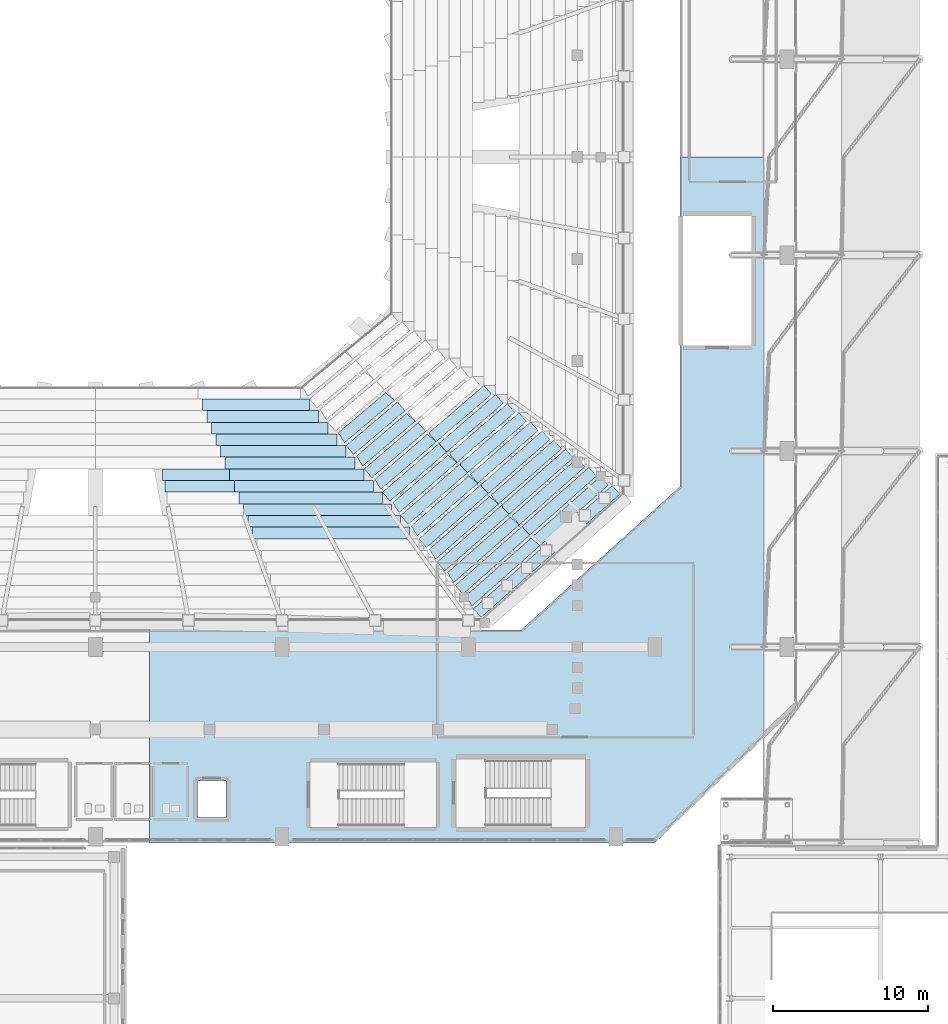
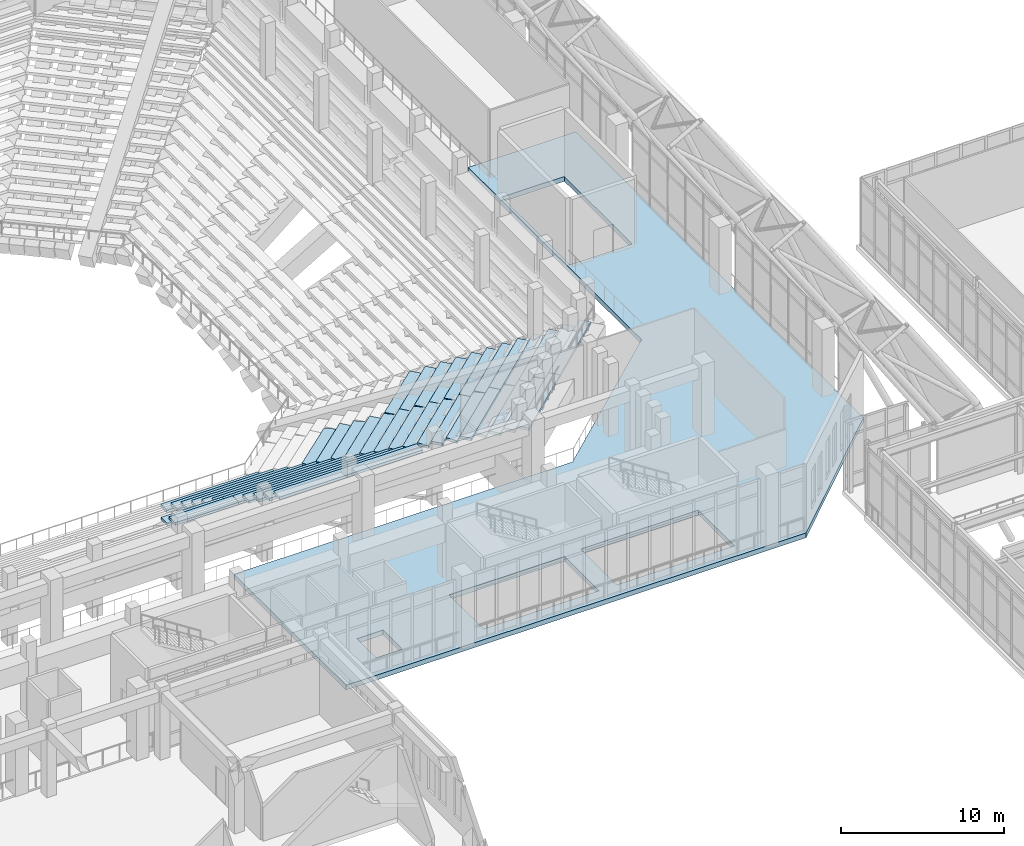
# One storey, part 95 of 159: 43 slabs.
"""IFC4 building model written with IfcOpenShell, lengths in metres."""

import ifcopenshell
import ifcopenshell.guid

model = None  # the IFC model being written
_history = None  # IfcOwnerHistory: only IFC2X3 demands one
_inside = {}  # id of a spatial element -> (the spatial element, [elements in it])
_under = {}  # id of a project, library or spatial element -> (it, [spatial elements below it])
_declared = {}  # id of a project -> (the project, [libraries it declares])
_typed = {}  # id of a type object -> (the type object, [elements of that type])
_made_of = {}  # id of a material, layer set ... -> (it, [elements and type objects made of it])


def new_model(schema):
    """Start an empty IFC model of exactly this schema.

    Asked for "IFC4X3", IfcOpenShell would pick the latest addendum, in which some entities
    have other attributes; the version numbers below select the first issue.
    IFC2X3 requires an IfcOwnerHistory on every rooted entity: one is made here for all.
    """
    global model, _history
    if schema == "IFC4X3":
        model = ifcopenshell.file(schema_version=(4, 3, 0, 0))
    else:
        model = ifcopenshell.file(schema=schema)
    _inside.clear()
    _under.clear()
    _declared.clear()
    _typed.clear()
    _made_of.clear()
    _history = None
    if model.schema == "IFC2X3":
        org = make("IfcOrganization", Name="unknown")
        user = make(
            "IfcPersonAndOrganization",
            ThePerson=make("IfcPerson", FamilyName="unknown"),
            TheOrganization=org,
        )
        app = make(
            "IfcApplication",
            ApplicationDeveloper=org,
            Version="unknown",
            ApplicationFullName="unknown",
            ApplicationIdentifier="unknown",
        )
        _history = make(
            "IfcOwnerHistory",
            OwningUser=user,
            OwningApplication=app,
            ChangeAction="ADDED",
            CreationDate=0,
        )
    return model


def make(cls, **values):
    """One entity of the class cls with the attributes given. An attribute that is None is left unset."""
    return model.create_entity(
        cls, **{name: value for name, value in values.items() if value is not None}
    )


def rooted(cls, **values):
    """An entity with a GlobalId (a new one), such as an element, a storey or a relation."""
    return make(cls, GlobalId=ifcopenshell.guid.new(), OwnerHistory=_history, **values)


def si_unit(unit_type, name, prefix=None):
    """IfcSIUnit, for example si_unit("LENGTHUNIT", "METRE", prefix="MILLI")."""
    return make("IfcSIUnit", UnitType=unit_type, Prefix=prefix, Name=name)


def derived_unit(unit_type, elements):
    """IfcDerivedUnit: a product of units, each with its exponent."""
    return make(
        "IfcDerivedUnit",
        Elements=[
            make("IfcDerivedUnitElement", Unit=unit, Exponent=power)
            for unit, power in elements
        ],
        UnitType=unit_type,
    )


def assignment(units):
    """IfcUnitAssignment: the units of a project."""
    return None if units is None else make("IfcUnitAssignment", Units=units)


def point(xyz):
    """IfcCartesianPoint."""
    return None if xyz is None else make("IfcCartesianPoint", Coordinates=xyz)


def direction(xyz):
    """IfcDirection."""
    return None if xyz is None else make("IfcDirection", DirectionRatios=xyz)


def frame(location, z_axis=None, x_axis=None):
    """IfcAxis2Placement3D, a coordinate frame: its origin and axes. An axis left out is left unset."""
    return make(
        "IfcAxis2Placement3D",
        Location=point(location),
        Axis=direction(z_axis),
        RefDirection=direction(x_axis),
    )


def origin():
    """The frame at (0, 0, 0) with its axes left unset."""
    return frame((0.0, 0.0, 0.0))


def place(relative_to, where):
    """IfcLocalPlacement: puts the frame where relative to a parent placement (None: the world)."""
    return make(
        "IfcLocalPlacement", PlacementRelTo=relative_to, RelativePlacement=where
    )


def context(
    kind, dimensions, precision=None, world=None, true_north=None, identifier=None
):
    """IfcGeometricRepresentationContext, for example the 3D "Model" context."""
    return make(
        "IfcGeometricRepresentationContext",
        ContextIdentifier=identifier,
        ContextType=kind,
        CoordinateSpaceDimension=dimensions,
        Precision=precision,
        WorldCoordinateSystem=world,
        TrueNorth=true_north,
    )


def subcontext(parent, identifier, kind, view, scale=None):
    """IfcGeometricRepresentationSubContext, for example "Body" below "Model"."""
    return make(
        "IfcGeometricRepresentationSubContext",
        ContextIdentifier=identifier,
        ContextType=kind,
        ParentContext=parent,
        TargetScale=scale,
        TargetView=view,
    )


def project(units=None, contexts=None):
    """IfcProject with its units and contexts."""
    return rooted(
        "IfcProject",
        Name="project",
        RepresentationContexts=contexts,
        UnitsInContext=assignment(units),
    )


def spatial(cls, under=None, at=None, **own):
    """A site, building, storey or space (cls), placed at a placement, below another one or the project."""
    s = rooted(cls, ObjectPlacement=at, **own)
    if under is not None:
        _under.setdefault(under.id(), (under, []))[1].append(s)
    return s


def polyline(points):
    """IfcPolyline through the points."""
    return make("IfcPolyline", Points=[point(p) for p in points])


def outline(outer, holes=None, kind="AREA"):
    """IfcArbitraryClosedProfileDef: a profile drawn as a closed curve; with holes, ...WithVoids."""
    if holes is None:
        return make("IfcArbitraryClosedProfileDef", ProfileType=kind, OuterCurve=outer)
    return make(
        "IfcArbitraryProfileDefWithVoids",
        ProfileType=kind,
        OuterCurve=outer,
        InnerCurves=holes,
    )


def extrude(swept, where, along, depth):
    """IfcExtrudedAreaSolid: the profile swept, set in the frame where, extruded along a direction by depth."""
    return make(
        "IfcExtrudedAreaSolid",
        SweptArea=swept,
        Position=where,
        ExtrudedDirection=direction(along),
        Depth=depth,
    )


def shape(context_of_items, identifier, shape_type, items):
    """IfcShapeRepresentation: the items that make up one representation, for example the "Body"."""
    return make(
        "IfcShapeRepresentation",
        ContextOfItems=context_of_items,
        RepresentationIdentifier=identifier,
        RepresentationType=shape_type,
        Items=items,
    )


def material(Name=None, Category=None):
    """IfcMaterial."""
    return make("IfcMaterial", Name=Name, Category=Category)


def layer(
    of_material, thickness, ventilated=None, Name=None, Category=None, Priority=None
):
    """IfcMaterialLayer: one layer of a wall or slab, of a material (None: an air gap)."""
    return make(
        "IfcMaterialLayer",
        Material=of_material,
        LayerThickness=thickness,
        IsVentilated=ventilated,
        Name=Name,
        Category=Category,
        Priority=Priority,
    )


def layer_set(layers, Name=None):
    """IfcMaterialLayerSet."""
    return make("IfcMaterialLayerSet", MaterialLayers=layers, LayerSetName=Name)


def made_of(thing, what):
    """Note that an element or type object is made of a material, layer set ...; save() writes the relation."""
    if what is not None:
        _made_of.setdefault(what.id(), (what, []))[1].append(thing)
    return thing


def type_object(cls, material=None, **own):
    """A type object (cls), such as IfcWallType, which elements share."""
    return made_of(rooted(cls, **own), material)


def element(
    cls,
    number,
    at=None,
    inside=None,
    cuts=None,
    type_object=None,
    material=None,
    context=None,
    identifier="Body",
    shape_type=None,
    held_by="IfcProductDefinitionShape",
    body=None,
    shapes=None,
    **own,
):
    """One element of the class cls, such as IfcWall. Its Tag is "e" and its number.

    at: its placement. inside: the storey or other place that contains it. cuts: it is an
    opening in that element (IfcRelVoidsElement). A single representation is given by context,
    identifier, shape_type and body (its items); several are given by shapes. held_by: the class
    of the entity that holds the representations. save() writes the other relations.
    """
    e = rooted(cls, Tag="e%d" % number, ObjectPlacement=at, **own)
    if body is not None:
        shapes = [shape(context, identifier, shape_type, body)]
    if shapes is not None:
        e.Representation = make(held_by, Representations=shapes)
    if inside is not None:
        _inside.setdefault(inside.id(), (inside, []))[1].append(e)
    if cuts is not None:
        rooted(
            "IfcRelVoidsElement", RelatingBuildingElement=cuts, RelatedOpeningElement=e
        )
    if type_object is not None:
        _typed.setdefault(type_object.id(), (type_object, []))[1].append(e)
    return made_of(e, material)


def aggregate(whole, parts):
    """IfcRelAggregates: a whole, such as a stair, and the parts it consists of."""
    return rooted("IfcRelAggregates", RelatingObject=whole, RelatedObjects=parts)


def save(model, path):
    """Write the relations noted so far, then the file.

    IfcRelAggregates (storeys below a building ...), IfcRelContainedInSpatialStructure (elements
    in a storey), IfcRelDefinesByType, IfcRelAssociatesMaterial and IfcRelDeclares: one each for
    every whole, place, type object, material and project.
    """
    for whole, parts in _under.values():
        aggregate(whole, parts)
    for where, things in _inside.values():
        rooted(
            "IfcRelContainedInSpatialStructure",
            RelatedElements=things,
            RelatingStructure=where,
        )
    for kind, things in _typed.values():
        rooted("IfcRelDefinesByType", RelatedObjects=things, RelatingType=kind)
    for what, things in _made_of.values():
        rooted("IfcRelAssociatesMaterial", RelatedObjects=things, RelatingMaterial=what)
    for by, libraries in _declared.values():
        rooted("IfcRelDeclares", RelatingContext=by, RelatedDefinitions=libraries)
    model.write(path)


model = new_model("IFC4")

# Units and contexts
model_context = context("Model", 3, precision=1e-05, world=origin(), true_north=direction((0.0, 1.0)))
body_context = subcontext(model_context, "Body", "Model", "MODEL_VIEW")
ifc_project = project(units=[si_unit("LENGTHUNIT", "METRE"), si_unit("AREAUNIT", "SQUARE_METRE"), si_unit("VOLUMEUNIT", "CUBIC_METRE"), si_unit("PLANEANGLEUNIT", "RADIAN"), si_unit("MASSUNIT", "GRAM", prefix="KILO"), derived_unit("THERMALTRANSMITTANCEUNIT", [(si_unit("MASSUNIT", "GRAM", prefix="KILO"), 1), (si_unit("TIMEUNIT", "SECOND"), -3), (si_unit("THERMODYNAMICTEMPERATUREUNIT", "KELVIN"), -1)])], contexts=[model_context])

# Site, building, storey
site_placement = place(None, origin())
site = spatial("IfcSite", under=ifc_project, at=site_placement, CompositionType="ELEMENT")
building_placement = place(site_placement, origin())
building = spatial("IfcBuilding", under=site, at=building_placement, Name="Valcora Ridge Arena", CompositionType="ELEMENT")
storey_placement = place(building_placement, frame((0.0, 0.0, 6.0)))
storey = spatial("IfcBuildingStorey", under=building, at=storey_placement, Name="L01", CompositionType="ELEMENT", Elevation=6.0)

# Slabs
ifc_material_1 = material(Name="Concrete C40/50", Category="concrete")
ifc_layer_1 = layer(ifc_material_1, 0.360107421875, Name="Concrete C40/50")
ifc_layer_set_1 = layer_set([ifc_layer_1], Name="Concrete C40/50")
slab_type_1 = type_object("IfcSlabType", Name="TY-SLAB-SL-CONC-360-SE", PredefinedType="FLOOR", material=ifc_layer_set_1)
slab_1_placement = place(storey_placement, frame((0.0, 0.0, -0.360107421875)))
element("IfcSlab", 1, at=slab_1_placement, inside=storey, type_object=slab_type_1, Name="SL-CONC-360-SE SLB-0038", PredefinedType="FLOOR", context=body_context, shape_type="SweptSolid", body=[
    extrude(outline(polyline([(103.199951171875, 28.9169921875), (103.199951171875, 64.10009765625), (95.60009765625, 64.10009765625), (95.60009765625, 42.89990234375), (85.39990234375, 33.699951171875), (61.5, 33.699951171875), (61.5, 20.0), (94.0, 20.0), (103.199951171875, 28.9169921875)]), holes=[polyline([(71.800048828125, 21.0), (79.9599609375, 21.0), (79.9599609375, 25.199951171875), (71.800048828125, 25.199951171875), (71.800048828125, 21.0)]), polyline([(81.199951171875, 25.39990234375), (81.199951171875, 21.0), (89.52001953125, 21.0), (89.52001953125, 25.39990234375), (81.199951171875, 25.39990234375)]), polyline([(95.800048828125, 60.320068359375), (95.800048828125, 52.0), (100.199951171875, 52.0), (100.199951171875, 60.320068359375), (95.800048828125, 60.320068359375)]), polyline([(66.419921875, 23.969970703125), (64.580078125, 23.969970703125), (64.580078125, 21.6298828125), (66.419921875, 21.6298828125), (66.419921875, 23.969970703125)])]), origin(), (0.0, 0.0, 1.0), 0.360107421875),
])
ifc_material_2 = material(Name="Precast concrete C45/55", Category="concrete")
ifc_layer_2 = layer(ifc_material_2, 0.199951171875, Name="Precast concrete C45/55")
ifc_layer_set_2 = layer_set([ifc_layer_2], Name="Precast concrete C45/55")
slab_type_2 = type_object("IfcSlabType", Name="TY-SLAB-ST-LOW-L043", PredefinedType="USERDEFINED", material=ifc_layer_set_2)
slab_2_placement = place(storey_placement, frame((0.0, 0.0, -3.39990234375)))
element("IfcSlab", 2, at=slab_2_placement, inside=storey, type_object=slab_type_2, Name="ST-LOW-L043 SLB-TR-0125", ObjectType="SEATING TIER", PredefinedType="USERDEFINED", context=body_context, shape_type="SweptSolid", body=[
    extrude(outline(polyline([(74.125, 45.550048828125), (77.4375, 48.362548828125), (77.9228515625, 47.790771484375), (74.6103515625, 44.978271484375), (74.125, 45.550048828125)])), origin(), (0.0, 0.0, 1.0), 0.199951171875),
])
slab_3_placement = place(storey_placement, frame((0.0, 0.0, -2.52001953125)))
element("IfcSlab", 3, at=slab_3_placement, inside=storey, type_object=slab_type_2, Name="ST-LOW-L043 SLB-TR-0171", ObjectType="SEATING TIER", PredefinedType="USERDEFINED", context=body_context, shape_type="SweptSolid", body=[
    extrude(outline(polyline([(62.32373046875, 44.050048828125), (66.6474609375, 44.050048828125), (66.6474609375, 43.300048828125), (62.32373046875, 43.300048828125), (62.32373046875, 44.050048828125)])), origin(), (0.0, 0.0, 1.0), 0.199951171875),
])
ifc_layer_3 = layer(ifc_material_2, 0.199951171875, Name="Precast concrete C45/55")
ifc_layer_set_3 = layer_set([ifc_layer_3], Name="Precast concrete C45/55")
slab_type_3 = type_object("IfcSlabType", Name="TY-SLAB-ST-LOW-L045", PredefinedType="USERDEFINED", material=ifc_layer_set_3)
slab_4_placement = place(storey_placement, frame((0.0, 0.0, -2.080078125)))
element("IfcSlab", 4, at=slab_4_placement, inside=storey, type_object=slab_type_3, Name="ST-LOW-L045 SLB-TR-0195", ObjectType="SEATING TIER", PredefinedType="USERDEFINED", context=body_context, shape_type="SweptSolid", body=[
    extrude(outline(polyline([(62.469970703125, 43.300048828125), (66.93994140625, 43.300048828125), (66.93994140625, 42.550048828125), (62.469970703125, 42.550048828125), (62.469970703125, 43.300048828125)])), origin(), (0.0, 0.0, 1.0), 0.2001953125),
])
ifc_layer_4 = layer(ifc_material_2, 0.199951171875, Name="Precast concrete C45/55")
ifc_layer_set_4 = layer_set([ifc_layer_4], Name="Precast concrete C45/55")
slab_type_4 = type_object("IfcSlabType", Name="TY-SLAB-ST-LOW-L046", PredefinedType="USERDEFINED", material=ifc_layer_set_4)
slab_5_placement = place(storey_placement, frame((0.0, 0.0, -2.52001953125)))
element("IfcSlab", 5, at=slab_5_placement, inside=storey, type_object=slab_type_4, Name="ST-LOW-L046 SLB-TR-0173", ObjectType="SEATING TIER", PredefinedType="USERDEFINED", context=body_context, shape_type="SweptSolid", body=[
    extrude(outline(polyline([(75.294921875, 44.050048828125), (78.7724609375, 47.027587890625), (79.26025390625, 46.457763671875), (75.78271484375, 43.480224609375), (75.294921875, 44.050048828125)])), origin(), (0.0, 0.0, 1.0), 0.199951171875),
])
ifc_layer_5 = layer(ifc_material_2, 0.199951171875, Name="Precast concrete C45/55")
ifc_layer_set_5 = layer_set([ifc_layer_5], Name="Precast concrete C45/55")
slab_type_5 = type_object("IfcSlabType", Name="TY-SLAB-ST-LOW-L047", PredefinedType="USERDEFINED", material=ifc_layer_set_5)
slab_6_placement = place(storey_placement, frame((0.0, 0.0, -2.080078125)))
element("IfcSlab", 6, at=slab_6_placement, inside=storey, type_object=slab_type_5, Name="ST-LOW-L047 SLB-TR-0198", ObjectType="SEATING TIER", PredefinedType="USERDEFINED", context=body_context, shape_type="SweptSolid", body=[
    extrude(outline(polyline([(79.43994140625, 46.360107421875), (83.0, 49.419921875), (83.489013671875, 48.851318359375), (79.928955078125, 45.791259765625), (79.43994140625, 46.360107421875)])), origin(), (0.0, 0.0, 1.0), 0.2001953125),
])
ifc_layer_6 = layer(ifc_material_2, 0.199951171875, Name="Precast concrete C45/55")
ifc_layer_set_6 = layer_set([ifc_layer_6], Name="Precast concrete C45/55")
slab_type_6 = type_object("IfcSlabType", Name="TY-SLAB-ST-LOW-L048", PredefinedType="USERDEFINED", material=ifc_layer_set_6)
slab_7_placement = place(storey_placement, frame((0.0, 0.0, -1.639892578125)))
element("IfcSlab", 7, at=slab_7_placement, inside=storey, type_object=slab_type_6, Name="ST-LOW-L048 SLB-TR-0221", ObjectType="SEATING TIER", PredefinedType="USERDEFINED", context=body_context, shape_type="SweptSolid", body=[
    extrude(outline(polyline([(76.465087890625, 42.550048828125), (80.107421875, 45.6923828125), (80.597412109375, 45.12451171875), (76.954833984375, 41.982177734375), (76.465087890625, 42.550048828125)])), origin(), (0.0, 0.0, 1.0), 0.199951171875),
])
slab_8_placement = place(storey_placement, frame((0.0, 0.0, -1.639892578125)))
element("IfcSlab", 8, at=slab_8_placement, inside=storey, type_object=slab_type_6, Name="ST-LOW-L048 SLB-TR-0222", ObjectType="SEATING TIER", PredefinedType="USERDEFINED", context=body_context, shape_type="SweptSolid", body=[
    extrude(outline(polyline([(80.107421875, 45.6923828125), (83.75, 48.8349609375), (84.239990234375, 48.26708984375), (80.597412109375, 45.12451171875), (80.107421875, 45.6923828125)])), origin(), (0.0, 0.0, 1.0), 0.199951171875),
])
ifc_layer_7 = layer(ifc_material_2, 0.199951171875, Name="Precast concrete C45/55")
ifc_layer_set_7 = layer_set([ifc_layer_7], Name="Precast concrete C45/55")
slab_type_7 = type_object("IfcSlabType", Name="TY-SLAB-ST-LOW-L049", PredefinedType="USERDEFINED", material=ifc_layer_set_7)
slab_9_placement = place(storey_placement, frame((0.0, 0.0, -1.199951171875)))
element("IfcSlab", 9, at=slab_9_placement, inside=storey, type_object=slab_type_7, Name="ST-LOW-L049 SLB-TR-0246", ObjectType="SEATING TIER", PredefinedType="USERDEFINED", context=body_context, shape_type="SweptSolid", body=[
    extrude(outline(polyline([(80.77490234375, 45.02490234375), (84.5, 48.25), (84.990966796875, 47.68310546875), (81.265869140625, 44.4580078125), (80.77490234375, 45.02490234375)])), origin(), (0.0, 0.0, 1.0), 0.199951171875),
])
ifc_layer_8 = layer(ifc_material_2, 0.199951171875, Name="Precast concrete C45/55")
ifc_layer_set_8 = layer_set([ifc_layer_8], Name="Precast concrete C45/55")
slab_type_8 = type_object("IfcSlabType", Name="TY-SLAB-ST-LOW-L050", PredefinedType="USERDEFINED", material=ifc_layer_set_8)
slab_10_placement = place(storey_placement, frame((0.0, 0.0, -0.760009765625)))
element("IfcSlab", 10, at=slab_10_placement, inside=storey, type_object=slab_type_8, Name="ST-LOW-L050 SLB-TR-0269", ObjectType="SEATING TIER", PredefinedType="USERDEFINED", context=body_context, shape_type="SweptSolid", body=[
    extrude(outline(polyline([(77.635009765625, 41.050048828125), (81.4423828125, 44.357421875), (81.934326171875, 43.791259765625), (78.126708984375, 40.48388671875), (77.635009765625, 41.050048828125)])), origin(), (0.0, 0.0, 1.0), 0.199951171875),
])
slab_11_placement = place(storey_placement, frame((0.0, 0.0, -0.760009765625)))
element("IfcSlab", 11, at=slab_11_placement, inside=storey, type_object=slab_type_8, Name="ST-LOW-L050 SLB-TR-0270", ObjectType="SEATING TIER", PredefinedType="USERDEFINED", context=body_context, shape_type="SweptSolid", body=[
    extrude(outline(polyline([(81.4423828125, 44.357421875), (85.25, 47.6650390625), (85.74169921875, 47.098876953125), (81.934326171875, 43.791259765625), (81.4423828125, 44.357421875)])), origin(), (0.0, 0.0, 1.0), 0.199951171875),
])
ifc_layer_9 = layer(ifc_material_2, 0.199951171875, Name="Precast concrete C45/55")
ifc_layer_set_9 = layer_set([ifc_layer_9], Name="Precast concrete C45/55")
slab_type_9 = type_object("IfcSlabType", Name="TY-SLAB-ST-LOW-L052", PredefinedType="USERDEFINED", material=ifc_layer_set_9)
slab_12_placement = place(storey_placement, frame((0.0, 0.0, -0.320068359375)))
element("IfcSlab", 12, at=slab_12_placement, inside=storey, type_object=slab_type_9, Name="ST-LOW-L052 SLB-TR-0294", ObjectType="SEATING TIER", PredefinedType="USERDEFINED", context=body_context, shape_type="SweptSolid", body=[
    extrude(outline(polyline([(82.110107421875, 43.68994140625), (86.0, 47.080078125), (86.49267578125, 46.5146484375), (82.602783203125, 43.12451171875), (82.110107421875, 43.68994140625)])), origin(), (0.0, 0.0, 1.0), 0.199951171875),
])
ifc_layer_10 = layer(ifc_material_2, 0.199951171875, Name="Precast concrete C45/55")
ifc_layer_set_10 = layer_set([ifc_layer_10], Name="Precast concrete C45/55")
slab_type_10 = type_object("IfcSlabType", Name="TY-SLAB-ST-LOW-L053", PredefinedType="USERDEFINED", material=ifc_layer_set_10)
slab_13_placement = place(storey_placement, frame((0.0, 0.0, 0.1201171875)))
element("IfcSlab", 13, at=slab_13_placement, inside=storey, type_object=slab_type_10, Name="ST-LOW-L053 SLB-TR-0317", ObjectType="SEATING TIER", PredefinedType="USERDEFINED", context=body_context, shape_type="SweptSolid", body=[
    extrude(outline(polyline([(78.804931640625, 39.550048828125), (82.777587890625, 43.0224609375), (83.27099609375, 42.457763671875), (79.298583984375, 38.9853515625), (78.804931640625, 39.550048828125)])), origin(), (0.0, 0.0, 1.0), 0.199951171875),
])
slab_14_placement = place(storey_placement, frame((0.0, 0.0, 0.1201171875)))
element("IfcSlab", 14, at=slab_14_placement, inside=storey, type_object=slab_type_10, Name="ST-LOW-L053 SLB-TR-0318", ObjectType="SEATING TIER", PredefinedType="USERDEFINED", context=body_context, shape_type="SweptSolid", body=[
    extrude(outline(polyline([(82.777587890625, 43.0224609375), (86.75, 46.4951171875), (87.24365234375, 45.930419921875), (83.27099609375, 42.457763671875), (82.777587890625, 43.0224609375)])), origin(), (0.0, 0.0, 1.0), 0.199951171875),
])
ifc_layer_11 = layer(ifc_material_2, 0.199951171875, Name="Precast concrete C45/55")
ifc_layer_set_11 = layer_set([ifc_layer_11], Name="Precast concrete C45/55")
slab_type_11 = type_object("IfcSlabType", Name="TY-SLAB-ST-LOW-L054", PredefinedType="USERDEFINED", material=ifc_layer_set_11)
slab_15_placement = place(storey_placement, frame((0.0, 0.0, 0.56005859375)))
element("IfcSlab", 15, at=slab_15_placement, inside=storey, type_object=slab_type_11, Name="ST-LOW-L054 SLB-TR-0342", ObjectType="SEATING TIER", PredefinedType="USERDEFINED", context=body_context, shape_type="SweptSolid", body=[
    extrude(outline(polyline([(83.445068359375, 42.35498046875), (87.5, 45.909912109375), (87.994384765625, 45.345947265625), (83.939453125, 41.791015625), (83.445068359375, 42.35498046875)])), origin(), (0.0, 0.0, 1.0), 0.199951171875),
])
ifc_layer_12 = layer(ifc_material_2, 0.199951171875, Name="Precast concrete C45/55")
ifc_layer_set_12 = layer_set([ifc_layer_12], Name="Precast concrete C45/55")
slab_type_12 = type_object("IfcSlabType", Name="TY-SLAB-ST-LOW-L055", PredefinedType="USERDEFINED", material=ifc_layer_set_12)
slab_16_placement = place(storey_placement, frame((0.0, 0.0, 1.0)))
element("IfcSlab", 16, at=slab_16_placement, inside=storey, type_object=slab_type_12, Name="ST-LOW-L055 SLB-TR-0365", ObjectType="SEATING TIER", PredefinedType="USERDEFINED", context=body_context, shape_type="SweptSolid", body=[
    extrude(outline(polyline([(79.97509765625, 38.050048828125), (84.112548828125, 41.6875), (84.607666015625, 41.124267578125), (80.47021484375, 37.48681640625), (79.97509765625, 38.050048828125)])), origin(), (0.0, 0.0, 1.0), 0.199951171875),
])
slab_17_placement = place(storey_placement, frame((0.0, 0.0, 1.0)))
element("IfcSlab", 17, at=slab_17_placement, inside=storey, type_object=slab_type_12, Name="ST-LOW-L055 SLB-TR-0366", ObjectType="SEATING TIER", PredefinedType="USERDEFINED", context=body_context, shape_type="SweptSolid", body=[
    extrude(outline(polyline([(84.112548828125, 41.6875), (88.25, 45.324951171875), (88.7451171875, 44.76171875), (84.607666015625, 41.124267578125), (84.112548828125, 41.6875)])), origin(), (0.0, 0.0, 1.0), 0.199951171875),
])
ifc_layer_13 = layer(ifc_material_2, 0.199951171875, Name="Precast concrete C45/55")
ifc_layer_set_13 = layer_set([ifc_layer_13], Name="Precast concrete C45/55")
slab_type_13 = type_object("IfcSlabType", Name="TY-SLAB-ST-LOW-L056", PredefinedType="USERDEFINED", material=ifc_layer_set_13)
slab_18_placement = place(storey_placement, frame((0.0, 0.0, 1.43994140625)))
element("IfcSlab", 18, at=slab_18_placement, inside=storey, type_object=slab_type_13, Name="ST-LOW-L056 SLB-TR-0390", ObjectType="SEATING TIER", PredefinedType="USERDEFINED", context=body_context, shape_type="SweptSolid", body=[
    extrude(outline(polyline([(84.780029296875, 41.02001953125), (89.0, 44.739990234375), (89.49609375, 44.177490234375), (85.27587890625, 40.45751953125), (84.780029296875, 41.02001953125)])), origin(), (0.0, 0.0, 1.0), 0.199951171875),
])
ifc_layer_14 = layer(ifc_material_2, 0.199951171875, Name="Precast concrete C45/55")
ifc_layer_set_14 = layer_set([ifc_layer_14], Name="Precast concrete C45/55")
slab_type_14 = type_object("IfcSlabType", Name="TY-SLAB-ST-LOW-L057", PredefinedType="USERDEFINED", material=ifc_layer_set_14)
slab_19_placement = place(storey_placement, frame((0.0, 0.0, 1.8798828125)))
element("IfcSlab", 19, at=slab_19_placement, inside=storey, type_object=slab_type_14, Name="ST-LOW-L057 SLB-TR-0413", ObjectType="SEATING TIER", PredefinedType="USERDEFINED", context=body_context, shape_type="SweptSolid", body=[
    extrude(outline(polyline([(81.14501953125, 36.550048828125), (85.447509765625, 40.3525390625), (85.944091796875, 39.79052734375), (81.6416015625, 35.988037109375), (81.14501953125, 36.550048828125)])), origin(), (0.0, 0.0, 1.0), 0.2001953125),
])
slab_20_placement = place(storey_placement, frame((0.0, 0.0, 1.8798828125)))
element("IfcSlab", 20, at=slab_20_placement, inside=storey, type_object=slab_type_14, Name="ST-LOW-L057 SLB-TR-0414", ObjectType="SEATING TIER", PredefinedType="USERDEFINED", context=body_context, shape_type="SweptSolid", body=[
    extrude(outline(polyline([(85.447509765625, 40.3525390625), (89.75, 44.155029296875), (90.24658203125, 43.593017578125), (85.944091796875, 39.79052734375), (85.447509765625, 40.3525390625)])), origin(), (0.0, 0.0, 1.0), 0.2001953125),
])
ifc_layer_15 = layer(ifc_material_2, 0.199951171875, Name="Precast concrete C45/55")
ifc_layer_set_15 = layer_set([ifc_layer_15], Name="Precast concrete C45/55")
slab_type_15 = type_object("IfcSlabType", Name="TY-SLAB-ST-LOW-L059", PredefinedType="USERDEFINED", material=ifc_layer_set_15)
slab_21_placement = place(storey_placement, frame((0.0, 0.0, 2.320068359375)))
element("IfcSlab", 21, at=slab_21_placement, inside=storey, type_object=slab_type_15, Name="ST-LOW-L059 SLB-TR-0438", ObjectType="SEATING TIER", PredefinedType="USERDEFINED", context=body_context, shape_type="SweptSolid", body=[
    extrude(outline(polyline([(86.114990234375, 39.68505859375), (90.5, 43.570068359375), (90.997314453125, 43.008544921875), (86.6123046875, 39.12353515625), (86.114990234375, 39.68505859375)])), origin(), (0.0, 0.0, 1.0), 0.199951171875),
])
ifc_layer_16 = layer(ifc_material_2, 0.199951171875, Name="Precast concrete C45/55")
ifc_layer_set_16 = layer_set([ifc_layer_16], Name="Precast concrete C45/55")
slab_type_16 = type_object("IfcSlabType", Name="TY-SLAB-ST-LOW-L060", PredefinedType="USERDEFINED", material=ifc_layer_set_16)
slab_22_placement = place(storey_placement, frame((0.0, 0.0, 2.760009765625)))
element("IfcSlab", 22, at=slab_22_placement, inside=storey, type_object=slab_type_16, Name="ST-LOW-L060 SLB-TR-0461", ObjectType="SEATING TIER", PredefinedType="USERDEFINED", context=body_context, shape_type="SweptSolid", body=[
    extrude(outline(polyline([(82.31494140625, 35.050048828125), (86.782470703125, 39.017578125), (87.280517578125, 38.456787109375), (82.81298828125, 34.4892578125), (82.31494140625, 35.050048828125)])), origin(), (0.0, 0.0, 1.0), 0.199951171875),
])
slab_23_placement = place(storey_placement, frame((0.0, 0.0, 2.760009765625)))
element("IfcSlab", 23, at=slab_23_placement, inside=storey, type_object=slab_type_16, Name="ST-LOW-L060 SLB-TR-0462", ObjectType="SEATING TIER", PredefinedType="USERDEFINED", context=body_context, shape_type="SweptSolid", body=[
    extrude(outline(polyline([(86.782470703125, 39.017578125), (91.25, 42.985107421875), (91.748046875, 42.42431640625), (87.280517578125, 38.456787109375), (86.782470703125, 39.017578125)])), origin(), (0.0, 0.0, 1.0), 0.199951171875),
])
ifc_layer_17 = layer(ifc_material_2, 0.199951171875, Name="Precast concrete C45/55")
ifc_layer_set_17 = layer_set([ifc_layer_17], Name="Precast concrete C45/55")
slab_type_17 = type_object("IfcSlabType", Name="TY-SLAB-ST-LOW-L069", PredefinedType="USERDEFINED", material=ifc_layer_set_17)
slab_24_placement = place(storey_placement, frame((0.0, 0.0, -5.159912109375)))
element("IfcSlab", 24, at=slab_24_placement, inside=storey, type_object=slab_type_17, Name="ST-LOW-L069 SLB-TR-0028", ObjectType="SEATING TIER", PredefinedType="USERDEFINED", context=body_context, shape_type="SweptSolid", body=[
    extrude(outline(polyline([(64.892578125, 48.550048828125), (71.784912109375, 48.550048828125), (71.784912109375, 47.800048828125), (64.892578125, 47.800048828125), (64.892578125, 48.550048828125)])), origin(), (0.0, 0.0, 1.0), 0.199951171875),
])
ifc_layer_18 = layer(ifc_material_2, 0.199951171875, Name="Precast concrete C45/55")
ifc_layer_set_18 = layer_set([ifc_layer_18], Name="Precast concrete C45/55")
slab_type_18 = type_object("IfcSlabType", Name="TY-SLAB-ST-LOW-L072", PredefinedType="USERDEFINED", material=ifc_layer_set_18)
slab_25_placement = place(storey_placement, frame((0.0, 0.0, -4.719970703125)))
element("IfcSlab", 25, at=slab_25_placement, inside=storey, type_object=slab_type_18, Name="ST-LOW-L072 SLB-TR-0052", ObjectType="SEATING TIER", PredefinedType="USERDEFINED", context=body_context, shape_type="SweptSolid", body=[
    extrude(outline(polyline([(65.18505859375, 47.800048828125), (72.3701171875, 47.800048828125), (72.3701171875, 47.050048828125), (65.18505859375, 47.050048828125), (65.18505859375, 47.800048828125)])), origin(), (0.0, 0.0, 1.0), 0.199951171875),
])
ifc_layer_19 = layer(ifc_material_2, 0.199951171875, Name="Precast concrete C45/55")
ifc_layer_set_19 = layer_set([ifc_layer_19], Name="Precast concrete C45/55")
slab_type_19 = type_object("IfcSlabType", Name="TY-SLAB-ST-LOW-L075", PredefinedType="USERDEFINED", material=ifc_layer_set_19)
slab_26_placement = place(storey_placement, frame((0.0, 0.0, -4.280029296875)))
element("IfcSlab", 26, at=slab_26_placement, inside=storey, type_object=slab_type_19, Name="ST-LOW-L075 SLB-TR-0076", ObjectType="SEATING TIER", PredefinedType="USERDEFINED", context=body_context, shape_type="SweptSolid", body=[
    extrude(outline(polyline([(65.4775390625, 47.050048828125), (72.955078125, 47.050048828125), (72.955078125, 46.300048828125), (65.4775390625, 46.300048828125), (65.4775390625, 47.050048828125)])), origin(), (0.0, 0.0, 1.0), 0.199951171875),
])
ifc_layer_20 = layer(ifc_material_2, 0.199951171875, Name="Precast concrete C45/55")
ifc_layer_set_20 = layer_set([ifc_layer_20], Name="Precast concrete C45/55")
slab_type_20 = type_object("IfcSlabType", Name="TY-SLAB-ST-LOW-L078", PredefinedType="USERDEFINED", material=ifc_layer_set_20)
slab_27_placement = place(storey_placement, frame((0.0, 0.0, -3.840087890625)))
element("IfcSlab", 27, at=slab_27_placement, inside=storey, type_object=slab_type_20, Name="ST-LOW-L078 SLB-TR-0100", ObjectType="SEATING TIER", PredefinedType="USERDEFINED", context=body_context, shape_type="SweptSolid", body=[
    extrude(outline(polyline([(65.77001953125, 46.300048828125), (73.5400390625, 46.300048828125), (73.5400390625, 45.550048828125), (65.77001953125, 45.550048828125), (65.77001953125, 46.300048828125)])), origin(), (0.0, 0.0, 1.0), 0.2001953125),
])
ifc_layer_21 = layer(ifc_material_2, 0.199951171875, Name="Precast concrete C45/55")
ifc_layer_set_21 = layer_set([ifc_layer_21], Name="Precast concrete C45/55")
slab_type_21 = type_object("IfcSlabType", Name="TY-SLAB-ST-LOW-L081", PredefinedType="USERDEFINED", material=ifc_layer_set_21)
slab_28_placement = place(storey_placement, frame((0.0, 0.0, -3.39990234375)))
element("IfcSlab", 28, at=slab_28_placement, inside=storey, type_object=slab_type_21, Name="ST-LOW-L081 SLB-TR-0124", ObjectType="SEATING TIER", PredefinedType="USERDEFINED", context=body_context, shape_type="SweptSolid", body=[
    extrude(outline(polyline([(66.0625, 45.550048828125), (74.125, 45.550048828125), (74.125, 44.800048828125), (66.0625, 44.800048828125), (66.0625, 45.550048828125)])), origin(), (0.0, 0.0, 1.0), 0.199951171875),
])
ifc_layer_22 = layer(ifc_material_2, 0.199951171875, Name="Precast concrete C45/55")
ifc_layer_set_22 = layer_set([ifc_layer_22], Name="Precast concrete C45/55")
slab_type_22 = type_object("IfcSlabType", Name="TY-SLAB-ST-LOW-L084", PredefinedType="USERDEFINED", material=ifc_layer_set_22)
slab_29_placement = place(storey_placement, frame((0.0, 0.0, -2.9599609375)))
element("IfcSlab", 29, at=slab_29_placement, inside=storey, type_object=slab_type_22, Name="ST-LOW-L084 SLB-TR-0148", ObjectType="SEATING TIER", PredefinedType="USERDEFINED", context=body_context, shape_type="SweptSolid", body=[
    extrude(outline(polyline([(66.35498046875, 44.800048828125), (74.7099609375, 44.800048828125), (74.7099609375, 44.050048828125), (66.35498046875, 44.050048828125), (66.35498046875, 44.800048828125)])), origin(), (0.0, 0.0, 1.0), 0.199951171875),
])
ifc_layer_23 = layer(ifc_material_2, 0.199951171875, Name="Precast concrete C45/55")
ifc_layer_set_23 = layer_set([ifc_layer_23], Name="Precast concrete C45/55")
slab_type_23 = type_object("IfcSlabType", Name="TY-SLAB-ST-LOW-L086", PredefinedType="USERDEFINED", material=ifc_layer_set_23)
slab_30_placement = place(storey_placement, frame((0.0, 0.0, -2.52001953125)))
element("IfcSlab", 30, at=slab_30_placement, inside=storey, type_object=slab_type_23, Name="ST-LOW-L086 SLB-TR-0172", ObjectType="SEATING TIER", PredefinedType="USERDEFINED", context=body_context, shape_type="SweptSolid", body=[
    extrude(outline(polyline([(66.6474609375, 44.050048828125), (75.294921875, 44.050048828125), (75.294921875, 43.300048828125), (66.6474609375, 43.300048828125), (66.6474609375, 44.050048828125)])), origin(), (0.0, 0.0, 1.0), 0.199951171875),
])
ifc_layer_24 = layer(ifc_material_2, 0.199951171875, Name="Precast concrete C45/55")
ifc_layer_set_24 = layer_set([ifc_layer_24], Name="Precast concrete C45/55")
slab_type_24 = type_object("IfcSlabType", Name="TY-SLAB-ST-LOW-L089", PredefinedType="USERDEFINED", material=ifc_layer_set_24)
slab_31_placement = place(storey_placement, frame((0.0, 0.0, -2.080078125)))
element("IfcSlab", 31, at=slab_31_placement, inside=storey, type_object=slab_type_24, Name="ST-LOW-L089 SLB-TR-0196", ObjectType="SEATING TIER", PredefinedType="USERDEFINED", context=body_context, shape_type="SweptSolid", body=[
    extrude(outline(polyline([(66.93994140625, 43.300048828125), (75.8798828125, 43.300048828125), (75.8798828125, 42.550048828125), (66.93994140625, 42.550048828125), (66.93994140625, 43.300048828125)])), origin(), (0.0, 0.0, 1.0), 0.2001953125),
])
ifc_layer_25 = layer(ifc_material_2, 0.199951171875, Name="Precast concrete C45/55")
ifc_layer_set_25 = layer_set([ifc_layer_25], Name="Precast concrete C45/55")
slab_type_25 = type_object("IfcSlabType", Name="TY-SLAB-ST-LOW-L092", PredefinedType="USERDEFINED", material=ifc_layer_set_25)
slab_32_placement = place(storey_placement, frame((0.0, 0.0, -1.639892578125)))
element("IfcSlab", 32, at=slab_32_placement, inside=storey, type_object=slab_type_25, Name="ST-LOW-L092 SLB-TR-0220", ObjectType="SEATING TIER", PredefinedType="USERDEFINED", context=body_context, shape_type="SweptSolid", body=[
    extrude(outline(polyline([(67.232421875, 42.550048828125), (76.465087890625, 42.550048828125), (76.465087890625, 41.800048828125), (67.232421875, 41.800048828125), (67.232421875, 42.550048828125)])), origin(), (0.0, 0.0, 1.0), 0.199951171875),
])
ifc_layer_26 = layer(ifc_material_2, 0.199951171875, Name="Precast concrete C45/55")
ifc_layer_set_26 = layer_set([ifc_layer_26], Name="Precast concrete C45/55")
slab_type_26 = type_object("IfcSlabType", Name="TY-SLAB-ST-LOW-L095", PredefinedType="USERDEFINED", material=ifc_layer_set_26)
slab_33_placement = place(storey_placement, frame((0.0, 0.0, -1.199951171875)))
element("IfcSlab", 33, at=slab_33_placement, inside=storey, type_object=slab_type_26, Name="ST-LOW-L095 SLB-TR-0244", ObjectType="SEATING TIER", PredefinedType="USERDEFINED", context=body_context, shape_type="SweptSolid", body=[
    extrude(outline(polyline([(67.52490234375, 41.800048828125), (77.050048828125, 41.800048828125), (77.050048828125, 41.050048828125), (67.52490234375, 41.050048828125), (67.52490234375, 41.800048828125)])), origin(), (0.0, 0.0, 1.0), 0.199951171875),
])
ifc_layer_27 = layer(ifc_material_2, 0.199951171875, Name="Precast concrete C45/55")
ifc_layer_set_27 = layer_set([ifc_layer_27], Name="Precast concrete C45/55")
slab_type_27 = type_object("IfcSlabType", Name="TY-SLAB-ST-LOW-L098", PredefinedType="USERDEFINED", material=ifc_layer_set_27)
slab_34_placement = place(storey_placement, frame((0.0, 0.0, -0.760009765625)))
element("IfcSlab", 34, at=slab_34_placement, inside=storey, type_object=slab_type_27, Name="ST-LOW-L098 SLB-TR-0268", ObjectType="SEATING TIER", PredefinedType="USERDEFINED", context=body_context, shape_type="SweptSolid", body=[
    extrude(outline(polyline([(67.8173828125, 41.050048828125), (77.635009765625, 41.050048828125), (77.635009765625, 40.300048828125), (67.8173828125, 40.300048828125), (67.8173828125, 41.050048828125)])), origin(), (0.0, 0.0, 1.0), 0.199951171875),
])
ifc_layer_28 = layer(ifc_material_2, 0.199951171875, Name="Precast concrete C45/55")
ifc_layer_set_28 = layer_set([ifc_layer_28], Name="Precast concrete C45/55")
slab_type_28 = type_object("IfcSlabType", Name="TY-SLAB-ST-LOW-L101", PredefinedType="USERDEFINED", material=ifc_layer_set_28)
slab_35_placement = place(storey_placement, frame((0.0, 0.0, -0.320068359375)))
element("IfcSlab", 35, at=slab_35_placement, inside=storey, type_object=slab_type_28, Name="ST-LOW-L101 SLB-TR-0292", ObjectType="SEATING TIER", PredefinedType="USERDEFINED", context=body_context, shape_type="SweptSolid", body=[
    extrude(outline(polyline([(68.110107421875, 40.300048828125), (78.219970703125, 40.300048828125), (78.219970703125, 39.550048828125), (68.110107421875, 39.550048828125), (68.110107421875, 40.300048828125)])), origin(), (0.0, 0.0, 1.0), 0.199951171875),
])
ifc_layer_29 = layer(ifc_material_2, 0.199951171875, Name="Precast concrete C45/55")
ifc_layer_set_29 = layer_set([ifc_layer_29], Name="Precast concrete C45/55")
slab_type_29 = type_object("IfcSlabType", Name="TY-SLAB-ST-LOW-M042", PredefinedType="USERDEFINED", material=ifc_layer_set_29)
slab_36_placement = place(storey_placement, frame((0.0, 0.0, -3.840087890625)))
element("IfcSlab", 36, at=slab_36_placement, inside=storey, type_object=slab_type_29, Name="ST-LOW-M042 SLB-TR-0101", ObjectType="SEATING TIER", PredefinedType="USERDEFINED", context=body_context, shape_type="SweptSolid", body=[
    extrude(outline(polyline([(73.631591796875, 46.37744140625), (76.678466796875, 48.952392578125), (77.254150390625, 48.457275390625), (74.024169921875, 45.727294921875), (73.631591796875, 46.37744140625)])), origin(), (0.0, 0.0, 1.0), 0.2001953125),
])
ifc_layer_30 = layer(ifc_material_2, 0.199951171875, Name="Precast concrete C45/55")
ifc_layer_set_30 = layer_set([ifc_layer_30], Name="Precast concrete C45/55")
slab_type_30 = type_object("IfcSlabType", Name="TY-SLAB-ST-LOW-M045", PredefinedType="USERDEFINED", material=ifc_layer_set_30)
slab_37_placement = place(storey_placement, frame((0.0, 0.0, -2.9599609375)))
element("IfcSlab", 37, at=slab_37_placement, inside=storey, type_object=slab_type_30, Name="ST-LOW-M045 SLB-TR-0149", ObjectType="SEATING TIER", PredefinedType="USERDEFINED", context=body_context, shape_type="SweptSolid", body=[
    extrude(outline(polyline([(74.80126953125, 44.8779296875), (78.013671875, 47.6171875), (78.591552734375, 47.124267578125), (75.196533203125, 44.229248046875), (74.80126953125, 44.8779296875)])), origin(), (0.0, 0.0, 1.0), 0.199951171875),
])
ifc_layer_31 = layer(ifc_material_2, 0.199951171875, Name="Precast concrete C45/55")
ifc_layer_set_31 = layer_set([ifc_layer_31], Name="Precast concrete C45/55")
slab_type_31 = type_object("IfcSlabType", Name="TY-SLAB-ST-LOW-M047", PredefinedType="USERDEFINED", material=ifc_layer_set_31)
slab_38_placement = place(storey_placement, frame((0.0, 0.0, -2.080078125)))
element("IfcSlab", 38, at=slab_38_placement, inside=storey, type_object=slab_type_31, Name="ST-LOW-M047 SLB-TR-0197", ObjectType="SEATING TIER", PredefinedType="USERDEFINED", context=body_context, shape_type="SweptSolid", body=[
    extrude(outline(polyline([(75.970947265625, 43.378173828125), (79.34912109375, 46.28173828125), (79.928955078125, 45.791259765625), (76.368896484375, 42.731201171875), (75.970947265625, 43.378173828125)])), origin(), (0.0, 0.0, 1.0), 0.2001953125),
])
ifc_layer_32 = layer(ifc_material_2, 0.199951171875, Name="Precast concrete C45/55")
ifc_layer_set_32 = layer_set([ifc_layer_32], Name="Precast concrete C45/55")
slab_type_32 = type_object("IfcSlabType", Name="TY-SLAB-ST-LOW-M049", PredefinedType="USERDEFINED", material=ifc_layer_set_32)
slab_39_placement = place(storey_placement, frame((0.0, 0.0, -1.199951171875)))
element("IfcSlab", 39, at=slab_39_placement, inside=storey, type_object=slab_type_32, Name="ST-LOW-M049 SLB-TR-0245", ObjectType="SEATING TIER", PredefinedType="USERDEFINED", context=body_context, shape_type="SweptSolid", body=[
    extrude(outline(polyline([(77.140625, 41.87841796875), (80.684326171875, 44.946533203125), (81.265869140625, 44.4580078125), (77.541015625, 41.23291015625), (77.140625, 41.87841796875)])), origin(), (0.0, 0.0, 1.0), 0.199951171875),
])
ifc_layer_33 = layer(ifc_material_2, 0.199951171875, Name="Precast concrete C45/55")
ifc_layer_set_33 = layer_set([ifc_layer_33], Name="Precast concrete C45/55")
slab_type_33 = type_object("IfcSlabType", Name="TY-SLAB-ST-LOW-M052", PredefinedType="USERDEFINED", material=ifc_layer_set_33)
slab_40_placement = place(storey_placement, frame((0.0, 0.0, -0.320068359375)))
element("IfcSlab", 40, at=slab_40_placement, inside=storey, type_object=slab_type_33, Name="ST-LOW-M052 SLB-TR-0293", ObjectType="SEATING TIER", PredefinedType="USERDEFINED", context=body_context, shape_type="SweptSolid", body=[
    extrude(outline(polyline([(78.310546875, 40.37890625), (82.01953125, 43.611083984375), (82.602783203125, 43.12451171875), (78.712646484375, 39.734619140625), (78.310546875, 40.37890625)])), origin(), (0.0, 0.0, 1.0), 0.199951171875),
])
ifc_layer_34 = layer(ifc_material_2, 0.199951171875, Name="Precast concrete C45/55")
ifc_layer_set_34 = layer_set([ifc_layer_34], Name="Precast concrete C45/55")
slab_type_34 = type_object("IfcSlabType", Name="TY-SLAB-ST-LOW-M054", PredefinedType="USERDEFINED", material=ifc_layer_set_34)
slab_41_placement = place(storey_placement, frame((0.0, 0.0, 0.56005859375)))
element("IfcSlab", 41, at=slab_41_placement, inside=storey, type_object=slab_type_34, Name="ST-LOW-M054 SLB-TR-0341", ObjectType="SEATING TIER", PredefinedType="USERDEFINED", context=body_context, shape_type="SweptSolid", body=[
    extrude(outline(polyline([(79.480224609375, 38.879150390625), (83.354736328125, 42.27587890625), (83.939453125, 41.791015625), (79.884521484375, 38.236083984375), (79.480224609375, 38.879150390625)])), origin(), (0.0, 0.0, 1.0), 0.199951171875),
])
ifc_layer_35 = layer(ifc_material_2, 0.199951171875, Name="Precast concrete C45/55")
ifc_layer_set_35 = layer_set([ifc_layer_35], Name="Precast concrete C45/55")
slab_type_35 = type_object("IfcSlabType", Name="TY-SLAB-ST-LOW-M056", PredefinedType="USERDEFINED", material=ifc_layer_set_35)
slab_42_placement = place(storey_placement, frame((0.0, 0.0, 1.43994140625)))
element("IfcSlab", 42, at=slab_42_placement, inside=storey, type_object=slab_type_35, Name="ST-LOW-M056 SLB-TR-0389", ObjectType="SEATING TIER", PredefinedType="USERDEFINED", context=body_context, shape_type="SweptSolid", body=[
    extrude(outline(polyline([(80.64990234375, 37.37939453125), (84.68994140625, 40.940673828125), (85.27587890625, 40.45751953125), (81.055908203125, 36.7373046875), (80.64990234375, 37.37939453125)])), origin(), (0.0, 0.0, 1.0), 0.199951171875),
])
ifc_layer_36 = layer(ifc_material_2, 0.199951171875, Name="Precast concrete C45/55")
ifc_layer_set_36 = layer_set([ifc_layer_36], Name="Precast concrete C45/55")
slab_type_36 = type_object("IfcSlabType", Name="TY-SLAB-ST-LOW-M059", PredefinedType="USERDEFINED", material=ifc_layer_set_36)
slab_43_placement = place(storey_placement, frame((0.0, 0.0, 2.320068359375)))
element("IfcSlab", 43, at=slab_43_placement, inside=storey, type_object=slab_type_36, Name="ST-LOW-M059 SLB-TR-0437", ObjectType="SEATING TIER", PredefinedType="USERDEFINED", context=body_context, shape_type="SweptSolid", body=[
    extrude(outline(polyline([(81.81982421875, 35.879638671875), (86.025146484375, 39.60546875), (86.6123046875, 39.12353515625), (82.227294921875, 35.238525390625), (81.81982421875, 35.879638671875)])), origin(), (0.0, 0.0, 1.0), 0.199951171875),
])

save(model, "model.ifc")
